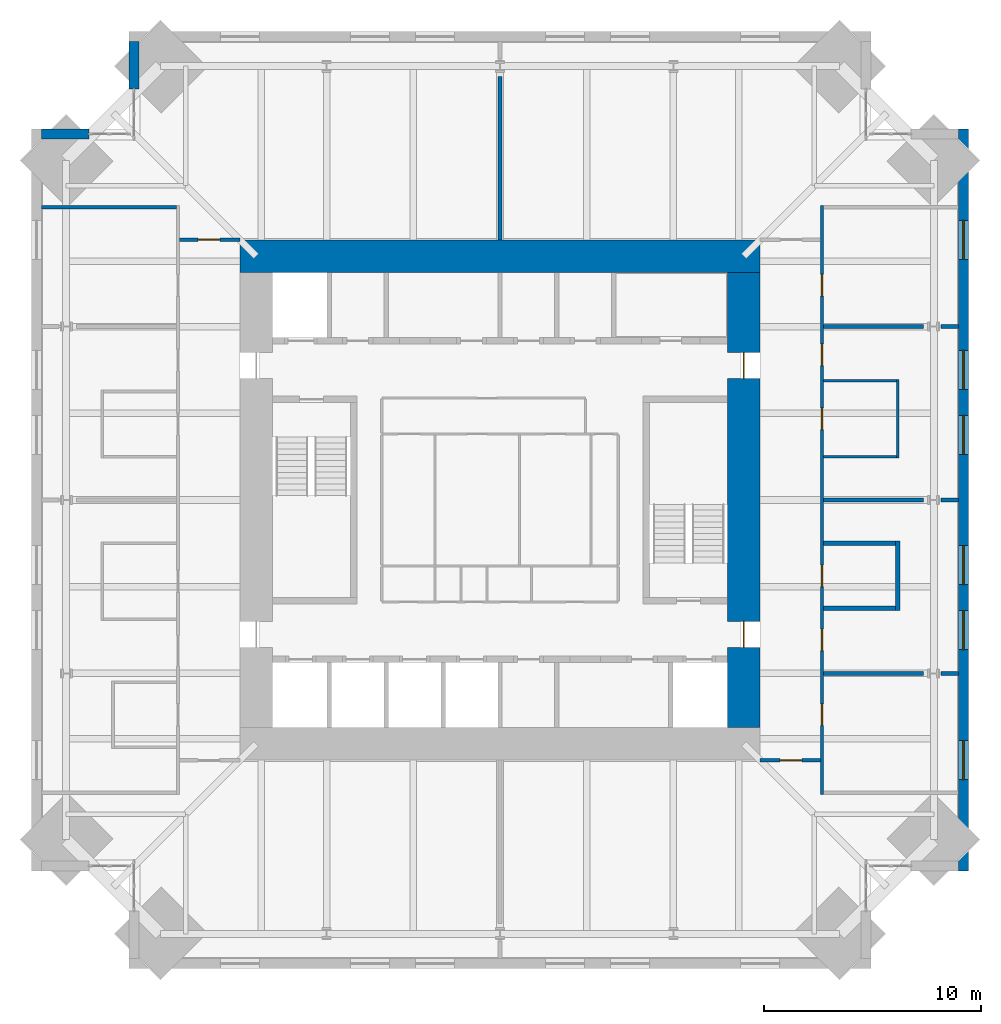
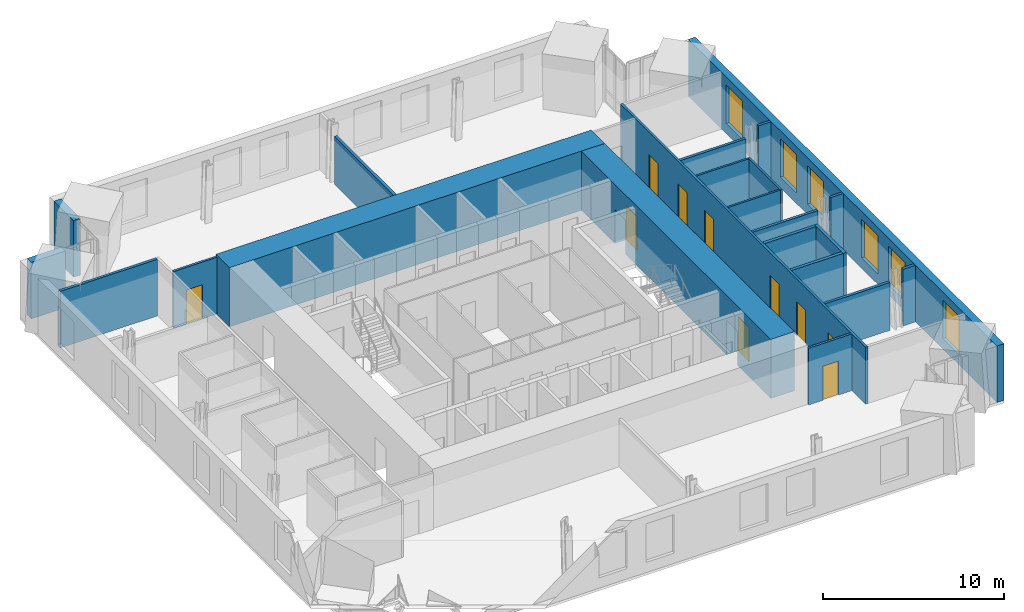
# One storey, part 14 of 16: 22 walls, 10 doors, 6 windows, 16 openings.
"""IFC4 building model written with IfcOpenShell, lengths in metres."""

from ifc_helpers import new_model, si_unit, direction, frame, frame_2d, origin, place, context, subcontext, project, spatial, rectangle, extrude, material, layer, layer_set, type_object, element, fill, save


model = new_model("IFC4")

# Units and contexts
model_context = context("Model", 3, precision=1e-05, world=origin(), true_north=direction((0.0, 1.0)))
body_context = subcontext(model_context, "Body", "Model", "MODEL_VIEW")
ifc_project = project(units=[si_unit("LENGTHUNIT", "METRE"), si_unit("AREAUNIT", "SQUARE_METRE"), si_unit("VOLUMEUNIT", "CUBIC_METRE"), si_unit("PLANEANGLEUNIT", "RADIAN"), si_unit("MASSUNIT", "GRAM", prefix="KILO")], contexts=[model_context])

# Site, building, storey
site_placement = place(None, origin())
site = spatial("IfcSite", under=ifc_project, at=site_placement, CompositionType="ELEMENT")
building_placement = place(site_placement, origin())
building = spatial("IfcBuilding", under=site, at=building_placement, Name="Peilmerk Tower", CompositionType="ELEMENT")
storey_placement = place(building_placement, frame((0.0, 0.0, 269.800048828125)))
storey = spatial("IfcBuildingStorey", under=building, at=storey_placement, Name="L60", CompositionType="ELEMENT", Elevation=269.800048828125)

# Wall, openings, windows
ifc_material_1 = material(Name="Precast concrete C45/55, board-marked finish", Category="concrete")
ifc_layer_1 = layer(ifc_material_1, 0.449951171875)
ifc_layer_set_1 = layer_set([ifc_layer_1], Name="Precast concrete C45/55, board-marked finish")
wall_type_1 = type_object("IfcWallType", Name="EW1 450 precast concrete facade wall, board-marked", PredefinedType="SOLIDWALL", material=ifc_layer_set_1)
wall_1_placement = place(storey_placement, frame((21.375, -17.10009765625, 0.0), z_axis=(0.0, 0.0, 1.0), x_axis=(0.0, 1.0, 0.0)))
wall_1 = element("IfcWall", 1, at=wall_1_placement, inside=storey, type_object=wall_type_1, Name="Facade wall E L60", PredefinedType="SOLIDWALL", context=body_context, shape_type="SweptSolid", body=[
    extrude(rectangle(XDim=34.2001953125, YDim=0.449951171875, at=frame_2d((17.10009765625, 0.0))), origin(), (0.0, 0.0, 1.0), 3.829833984375),
])
opening_1_placement = place(wall_1_placement, frame((4.199951171875, 0.0, 0.699951171875)))
opening_1 = element("IfcOpeningElement", 2, at=opening_1_placement, cuts=wall_1, Name="Opening W1", PredefinedType="OPENING", context=body_context, shape_type="SweptSolid", body=[
    extrude(rectangle(XDim=1.800048828125, YDim=2.60009765625, at=frame_2d((0.89990234375, 1.300048828125))), frame((0.0, 0.23486328125, 0.0), z_axis=(0.0, -1.0, 0.0), x_axis=(1.0, 0.0, 0.0)), (0.0, 0.0, 1.0), 0.469970703125),
])
opening_2_placement = place(wall_1_placement, frame((10.199951171875, 0.0, 0.699951171875)))
opening_2 = element("IfcOpeningElement", 3, at=opening_2_placement, cuts=wall_1, Name="Opening W1", PredefinedType="OPENING", context=body_context, shape_type="SweptSolid", body=[
    extrude(rectangle(XDim=1.800048828125, YDim=2.60009765625, at=frame_2d((0.89990234375, 1.300048828125))), frame((0.0, 0.23486328125, 0.0), z_axis=(0.0, -1.0, 0.0), x_axis=(1.0, 0.0, 0.0)), (0.0, 0.0, 1.0), 0.469970703125),
])
opening_3_placement = place(wall_1_placement, frame((13.199951171875, 0.0, 0.699951171875)))
opening_3 = element("IfcOpeningElement", 4, at=opening_3_placement, cuts=wall_1, Name="Opening W1", PredefinedType="OPENING", context=body_context, shape_type="SweptSolid", body=[
    extrude(rectangle(XDim=1.800048828125, YDim=2.60009765625, at=frame_2d((0.89990234375, 1.300048828125))), frame((0.0, 0.23486328125, 0.0), z_axis=(0.0, -1.0, 0.0), x_axis=(1.0, 0.0, 0.0)), (0.0, 0.0, 1.0), 0.469970703125),
])
opening_4_placement = place(wall_1_placement, frame((19.199951171875, 0.0, 0.699951171875)))
opening_4 = element("IfcOpeningElement", 5, at=opening_4_placement, cuts=wall_1, Name="Opening W1", PredefinedType="OPENING", context=body_context, shape_type="SweptSolid", body=[
    extrude(rectangle(XDim=1.800048828125, YDim=2.60009765625, at=frame_2d((0.89990234375, 1.300048828125))), frame((0.0, 0.23486328125, 0.0), z_axis=(0.0, -1.0, 0.0), x_axis=(1.0, 0.0, 0.0)), (0.0, 0.0, 1.0), 0.469970703125),
])
opening_5_placement = place(wall_1_placement, frame((22.199951171875, 0.0, 0.699951171875)))
opening_5 = element("IfcOpeningElement", 6, at=opening_5_placement, cuts=wall_1, Name="Opening W1", PredefinedType="OPENING", context=body_context, shape_type="SweptSolid", body=[
    extrude(rectangle(XDim=1.800048828125, YDim=2.60009765625, at=frame_2d((0.89990234375, 1.300048828125))), frame((0.0, 0.23486328125, 0.0), z_axis=(0.0, -1.0, 0.0), x_axis=(1.0, 0.0, 0.0)), (0.0, 0.0, 1.0), 0.469970703125),
])
opening_6_placement = place(wall_1_placement, frame((28.199951171875, 0.0, 0.699951171875)))
opening_6 = element("IfcOpeningElement", 7, at=opening_6_placement, cuts=wall_1, Name="Opening W1", PredefinedType="OPENING", context=body_context, shape_type="SweptSolid", body=[
    extrude(rectangle(XDim=1.800048828125, YDim=2.60009765625, at=frame_2d((0.89990234375, 1.300048828125))), frame((0.0, 0.23486328125, 0.0), z_axis=(0.0, -1.0, 0.0), x_axis=(1.0, 0.0, 0.0)), (0.0, 0.0, 1.0), 0.469970703125),
])
ifc_material_2 = material(Name="Aluminium frame, clear double glazing", Category="aluminium")
window_type = type_object("IfcWindowType", Name="W1 1800x2600 office window", PartitioningType="SINGLE_PANEL", PredefinedType="WINDOW", material=ifc_material_2)
window_1_placement = place(opening_1_placement, origin())
window_1 = element("IfcWindow", 8, at=window_1_placement, inside=storey, type_object=window_type, Name="Window W1 L60", OverallHeight=2.60009765625, OverallWidth=1.800048828125, PartitioningType="SINGLE_PANEL", PredefinedType="WINDOW", context=body_context, shape_type="SweptSolid", body=[
    extrude(rectangle(XDim=1.800048828125, YDim=2.60009765625, at=frame_2d((0.89990234375, 1.300048828125))), frame((0.0, 0.030029296875, 0.0), z_axis=(0.0, -1.0, 0.0), x_axis=(1.0, 0.0, 0.0)), (0.0, 0.0, 1.0), 0.06005859375),
])
fill(opening_1, window_1)
window_2_placement = place(opening_2_placement, origin())
window_2 = element("IfcWindow", 9, at=window_2_placement, inside=storey, type_object=window_type, Name="Window W1 L60", OverallHeight=2.60009765625, OverallWidth=1.800048828125, PartitioningType="SINGLE_PANEL", PredefinedType="WINDOW", context=body_context, shape_type="SweptSolid", body=[
    extrude(rectangle(XDim=1.800048828125, YDim=2.60009765625, at=frame_2d((0.89990234375, 1.300048828125))), frame((0.0, 0.030029296875, 0.0), z_axis=(0.0, -1.0, 0.0), x_axis=(1.0, 0.0, 0.0)), (0.0, 0.0, 1.0), 0.06005859375),
])
fill(opening_2, window_2)
window_3_placement = place(opening_3_placement, origin())
window_3 = element("IfcWindow", 10, at=window_3_placement, inside=storey, type_object=window_type, Name="Window W1 L60", OverallHeight=2.60009765625, OverallWidth=1.800048828125, PartitioningType="SINGLE_PANEL", PredefinedType="WINDOW", context=body_context, shape_type="SweptSolid", body=[
    extrude(rectangle(XDim=1.800048828125, YDim=2.60009765625, at=frame_2d((0.89990234375, 1.300048828125))), frame((0.0, 0.030029296875, 0.0), z_axis=(0.0, -1.0, 0.0), x_axis=(1.0, 0.0, 0.0)), (0.0, 0.0, 1.0), 0.06005859375),
])
fill(opening_3, window_3)
window_4_placement = place(opening_4_placement, origin())
window_4 = element("IfcWindow", 11, at=window_4_placement, inside=storey, type_object=window_type, Name="Window W1 L60", OverallHeight=2.60009765625, OverallWidth=1.800048828125, PartitioningType="SINGLE_PANEL", PredefinedType="WINDOW", context=body_context, shape_type="SweptSolid", body=[
    extrude(rectangle(XDim=1.800048828125, YDim=2.60009765625, at=frame_2d((0.89990234375, 1.300048828125))), frame((0.0, 0.030029296875, 0.0), z_axis=(0.0, -1.0, 0.0), x_axis=(1.0, 0.0, 0.0)), (0.0, 0.0, 1.0), 0.06005859375),
])
fill(opening_4, window_4)
window_5_placement = place(opening_5_placement, origin())
window_5 = element("IfcWindow", 12, at=window_5_placement, inside=storey, type_object=window_type, Name="Window W1 L60", OverallHeight=2.60009765625, OverallWidth=1.800048828125, PartitioningType="SINGLE_PANEL", PredefinedType="WINDOW", context=body_context, shape_type="SweptSolid", body=[
    extrude(rectangle(XDim=1.800048828125, YDim=2.60009765625, at=frame_2d((0.89990234375, 1.300048828125))), frame((0.0, 0.030029296875, 0.0), z_axis=(0.0, -1.0, 0.0), x_axis=(1.0, 0.0, 0.0)), (0.0, 0.0, 1.0), 0.06005859375),
])
fill(opening_5, window_5)
window_6_placement = place(opening_6_placement, origin())
window_6 = element("IfcWindow", 13, at=window_6_placement, inside=storey, type_object=window_type, Name="Window W1 L60", OverallHeight=2.60009765625, OverallWidth=1.800048828125, PartitioningType="SINGLE_PANEL", PredefinedType="WINDOW", context=body_context, shape_type="SweptSolid", body=[
    extrude(rectangle(XDim=1.800048828125, YDim=2.60009765625, at=frame_2d((0.89990234375, 1.300048828125))), frame((0.0, 0.030029296875, 0.0), z_axis=(0.0, -1.0, 0.0), x_axis=(1.0, 0.0, 0.0)), (0.0, 0.0, 1.0), 0.06005859375),
])
fill(opening_6, window_6)

# Walls
for number, where, z_axis, x_axis, name in (
    (14, (-16.875, 18.95361328125, 0.0), (0.0, 0.0, 1.0), (0.0, 1.0, 0.0), "Facade wall NWA L60"),
    (15, (-18.95361328125, 16.875, 0.0), (0.0, 0.0, 1.0), (-1.0, 0.0, 0.0), "Facade wall NWB L60"),
):
    element("IfcWall", number, at=place(storey_placement, frame(where, z_axis=z_axis, x_axis=x_axis)), inside=storey, type_object=wall_type_1, Name=name, PredefinedType="SOLIDWALL", context=body_context, shape_type="SweptSolid", body=[
        extrude(rectangle(XDim=2.1962890625, YDim=0.449951171875, at=frame_2d((1.09814453125, 0.0))), origin(), (0.0, 0.0, 1.0), 3.829833984375),
    ])

# Wall, openings, doors
ifc_material_3 = material(Name="Calcium silicate block", Category="masonry")
ifc_layer_2 = layer(ifc_material_3, 0.14990234375)
ifc_layer_set_2 = layer_set([ifc_layer_2], Name="Calcium silicate block")
wall_type_2 = type_object("IfcWallType", Name="IW1 150 corridor partition, EI 60", PredefinedType="PARTITIONING", material=ifc_layer_set_2)
wall_2_placement = place(storey_placement, frame((14.85009765625, -13.574951171875, 0.0), z_axis=(0.0, 0.0, 1.0), x_axis=(0.0, 1.0, 0.0)))
wall_2 = element("IfcWall", 16, at=wall_2_placement, inside=storey, type_object=wall_type_2, Name="Corridor wall E L60", PredefinedType="PARTITIONING", context=body_context, shape_type="SweptSolid", body=[
    extrude(rectangle(XDim=27.14990234375, YDim=0.14990234375, at=frame_2d((13.574951171875, 0.0))), origin(), (0.0, 0.0, 1.0), 3.829833984375),
])
opening_7_placement = place(wall_2_placement, frame((3.175048828125, 0.0, 0.0)))
opening_7 = element("IfcOpeningElement", 17, at=opening_7_placement, cuts=wall_2, Name="Opening D1", PredefinedType="OPENING", context=body_context, shape_type="SweptSolid", body=[
    extrude(rectangle(XDim=1.0, YDim=2.300048828125, at=frame_2d((0.5, 1.14990234375))), frame((0.0, 0.0849609375, 0.0), z_axis=(0.0, -1.0, 0.0), x_axis=(1.0, 0.0, 0.0)), (0.0, 0.0, 1.0), 0.169921875),
])
opening_8_placement = place(wall_2_placement, frame((6.625, 0.0, 0.0)))
opening_8 = element("IfcOpeningElement", 18, at=opening_8_placement, cuts=wall_2, Name="Opening D1", PredefinedType="OPENING", context=body_context, shape_type="SweptSolid", body=[
    extrude(rectangle(XDim=1.0, YDim=2.300048828125, at=frame_2d((0.5, 1.14990234375))), frame((0.0, 0.0849609375, 0.0), z_axis=(0.0, -1.0, 0.0), x_axis=(1.0, 0.0, 0.0)), (0.0, 0.0, 1.0), 0.169921875),
])
opening_9_placement = place(wall_2_placement, frame((19.77490234375, 0.0, 0.0)))
opening_9 = element("IfcOpeningElement", 19, at=opening_9_placement, cuts=wall_2, Name="Opening D1", PredefinedType="OPENING", context=body_context, shape_type="SweptSolid", body=[
    extrude(rectangle(XDim=1.0, YDim=2.300048828125, at=frame_2d((0.5, 1.14990234375))), frame((0.0, 0.0849609375, 0.0), z_axis=(0.0, -1.0, 0.0), x_axis=(1.0, 0.0, 0.0)), (0.0, 0.0, 1.0), 0.169921875),
])
opening_10_placement = place(wall_2_placement, frame((22.97509765625, 0.0, 0.0)))
opening_10 = element("IfcOpeningElement", 20, at=opening_10_placement, cuts=wall_2, Name="Opening D1", PredefinedType="OPENING", context=body_context, shape_type="SweptSolid", body=[
    extrude(rectangle(XDim=1.0, YDim=2.300048828125, at=frame_2d((0.5, 1.14990234375))), frame((0.0, 0.0849609375, 0.0), z_axis=(0.0, -1.0, 0.0), x_axis=(1.0, 0.0, 0.0)), (0.0, 0.0, 1.0), 0.169921875),
])
opening_11_placement = place(wall_2_placement, frame((16.824951171875, 0.0, 0.0)))
opening_11 = element("IfcOpeningElement", 21, at=opening_11_placement, cuts=wall_2, Name="Opening D1", PredefinedType="OPENING", context=body_context, shape_type="SweptSolid", body=[
    extrude(rectangle(XDim=1.0, YDim=2.300048828125, at=frame_2d((0.5, 1.14990234375))), frame((0.0, 0.0849609375, 0.0), z_axis=(0.0, -1.0, 0.0), x_axis=(1.0, 0.0, 0.0)), (0.0, 0.0, 1.0), 0.169921875),
])
opening_12_placement = place(wall_2_placement, frame((9.574951171875, 0.0, 0.0)))
opening_12 = element("IfcOpeningElement", 22, at=opening_12_placement, cuts=wall_2, Name="Opening D1", PredefinedType="OPENING", context=body_context, shape_type="SweptSolid", body=[
    extrude(rectangle(XDim=1.0, YDim=2.300048828125, at=frame_2d((0.5, 1.14990234375))), frame((0.0, 0.0849609375, 0.0), z_axis=(0.0, -1.0, 0.0), x_axis=(1.0, 0.0, 0.0)), (0.0, 0.0, 1.0), 0.169921875),
])
ifc_material_4 = material(Name="Timber door in steel frame", Category="steel")
door_type_1 = type_object("IfcDoorType", Name="D1 1000x2300 room door, EI2 30", OperationType="SINGLE_SWING_LEFT", PredefinedType="DOOR", material=ifc_material_4)
door_1_placement = place(opening_7_placement, frame((1.0, 0.0, 0.0), z_axis=(0.0, 0.0, 1.0), x_axis=(-1.0, 0.0, 0.0)))
door_1 = element("IfcDoor", 23, at=door_1_placement, inside=storey, type_object=door_type_1, Name="Door Office L60", OperationType="SINGLE_SWING_LEFT", OverallHeight=2.300048828125, OverallWidth=1.0, PredefinedType="DOOR", context=body_context, shape_type="SweptSolid", body=[
    extrude(rectangle(XDim=1.0, YDim=2.300048828125, at=frame_2d((0.5, 1.14990234375))), frame((0.0, 0.02490234375, 0.0), z_axis=(0.0, -1.0, 0.0), x_axis=(1.0, 0.0, 0.0)), (0.0, 0.0, 1.0), 0.050048828125),
])
fill(opening_7, door_1)
door_2_placement = place(opening_8_placement, frame((1.0, 0.0, 0.0), z_axis=(0.0, 0.0, 1.0), x_axis=(-1.0, 0.0, 0.0)))
door_2 = element("IfcDoor", 24, at=door_2_placement, inside=storey, type_object=door_type_1, Name="Door Office L60", OperationType="SINGLE_SWING_LEFT", OverallHeight=2.300048828125, OverallWidth=1.0, PredefinedType="DOOR", context=body_context, shape_type="SweptSolid", body=[
    extrude(rectangle(XDim=1.0, YDim=2.300048828125, at=frame_2d((0.5, 1.14990234375))), frame((0.0, 0.02490234375, 0.0), z_axis=(0.0, -1.0, 0.0), x_axis=(1.0, 0.0, 0.0)), (0.0, 0.0, 1.0), 0.050048828125),
])
fill(opening_8, door_2)
door_3_placement = place(opening_9_placement, frame((1.0, 0.0, 0.0), z_axis=(0.0, 0.0, 1.0), x_axis=(-1.0, 0.0, 0.0)))
door_3 = element("IfcDoor", 25, at=door_3_placement, inside=storey, type_object=door_type_1, Name="Door Office L60", OperationType="SINGLE_SWING_LEFT", OverallHeight=2.300048828125, OverallWidth=1.0, PredefinedType="DOOR", context=body_context, shape_type="SweptSolid", body=[
    extrude(rectangle(XDim=1.0, YDim=2.300048828125, at=frame_2d((0.5, 1.14990234375))), frame((0.0, 0.02490234375, 0.0), z_axis=(0.0, -1.0, 0.0), x_axis=(1.0, 0.0, 0.0)), (0.0, 0.0, 1.0), 0.050048828125),
])
fill(opening_9, door_3)
door_4_placement = place(opening_10_placement, frame((1.0, 0.0, 0.0), z_axis=(0.0, 0.0, 1.0), x_axis=(-1.0, 0.0, 0.0)))
door_4 = element("IfcDoor", 26, at=door_4_placement, inside=storey, type_object=door_type_1, Name="Door Office L60", OperationType="SINGLE_SWING_LEFT", OverallHeight=2.300048828125, OverallWidth=1.0, PredefinedType="DOOR", context=body_context, shape_type="SweptSolid", body=[
    extrude(rectangle(XDim=1.0, YDim=2.300048828125, at=frame_2d((0.5, 1.14990234375))), frame((0.0, 0.02490234375, 0.0), z_axis=(0.0, -1.0, 0.0), x_axis=(1.0, 0.0, 0.0)), (0.0, 0.0, 1.0), 0.050048828125),
])
fill(opening_10, door_4)
door_5_placement = place(opening_11_placement, frame((1.0, 0.0, 0.0), z_axis=(0.0, 0.0, 1.0), x_axis=(-1.0, 0.0, 0.0)))
door_5 = element("IfcDoor", 27, at=door_5_placement, inside=storey, type_object=door_type_1, Name="Door Meeting room L60", OperationType="SINGLE_SWING_LEFT", OverallHeight=2.300048828125, OverallWidth=1.0, PredefinedType="DOOR", context=body_context, shape_type="SweptSolid", body=[
    extrude(rectangle(XDim=1.0, YDim=2.300048828125, at=frame_2d((0.5, 1.14990234375))), frame((0.0, 0.02490234375, 0.0), z_axis=(0.0, -1.0, 0.0), x_axis=(1.0, 0.0, 0.0)), (0.0, 0.0, 1.0), 0.050048828125),
])
fill(opening_11, door_5)
door_6_placement = place(opening_12_placement, frame((1.0, 0.0, 0.0), z_axis=(0.0, 0.0, 1.0), x_axis=(-1.0, 0.0, 0.0)))
door_6 = element("IfcDoor", 28, at=door_6_placement, inside=storey, type_object=door_type_1, Name="Door Wellness room L60", OperationType="SINGLE_SWING_LEFT", OverallHeight=2.300048828125, OverallWidth=1.0, PredefinedType="DOOR", context=body_context, shape_type="SweptSolid", body=[
    extrude(rectangle(XDim=1.0, YDim=2.300048828125, at=frame_2d((0.5, 1.14990234375))), frame((0.0, 0.02490234375, 0.0), z_axis=(0.0, -1.0, 0.0), x_axis=(1.0, 0.0, 0.0)), (0.0, 0.0, 1.0), 0.050048828125),
])
fill(opening_12, door_6)

# Wall, opening, door
wall_3_placement = place(storey_placement, frame((-14.77490234375, 12.0, 0.0), z_axis=(0.0, 0.0, 1.0), x_axis=(1.0, 0.0, 0.0)))
wall_3 = element("IfcWall", 29, at=wall_3_placement, inside=storey, type_object=wall_type_2, Name="Corridor wall NW L60", PredefinedType="PARTITIONING", context=body_context, shape_type="SweptSolid", body=[
    extrude(rectangle(XDim=2.77490234375, YDim=0.14990234375, at=frame_2d((1.387451171875, 0.0))), origin(), (0.0, 0.0, 1.0), 3.829833984375),
])
opening_13_placement = place(wall_3_placement, frame((0.85009765625, 0.0, 0.0)))
opening_13 = element("IfcOpeningElement", 30, at=opening_13_placement, cuts=wall_3, Name="Opening D1", PredefinedType="OPENING", context=body_context, shape_type="SweptSolid", body=[
    extrude(rectangle(XDim=1.0, YDim=2.300048828125, at=frame_2d((0.5, 1.14990234375))), frame((0.0, 0.0849609375, 0.0), z_axis=(0.0, -1.0, 0.0), x_axis=(1.0, 0.0, 0.0)), (0.0, 0.0, 1.0), 0.169921875),
])
door_7_placement = place(opening_13_placement, origin())
door_7 = element("IfcDoor", 31, at=door_7_placement, inside=storey, type_object=door_type_1, Name="Door Office L60", OperationType="SINGLE_SWING_LEFT", OverallHeight=2.300048828125, OverallWidth=1.0, PredefinedType="DOOR", context=body_context, shape_type="SweptSolid", body=[
    extrude(rectangle(XDim=1.0, YDim=2.300048828125, at=frame_2d((0.5, 1.14990234375))), frame((0.0, 0.02490234375, 0.0), z_axis=(0.0, -1.0, 0.0), x_axis=(1.0, 0.0, 0.0)), (0.0, 0.0, 1.0), 0.050048828125),
])
fill(opening_13, door_7)

wall_4_placement = place(storey_placement, frame((14.77490234375, -12.0, 0.0), z_axis=(0.0, 0.0, 1.0), x_axis=(-1.0, 0.0, 0.0)))
wall_4 = element("IfcWall", 32, at=wall_4_placement, inside=storey, type_object=wall_type_2, Name="Corridor wall SE L60", PredefinedType="PARTITIONING", context=body_context, shape_type="SweptSolid", body=[
    extrude(rectangle(XDim=2.77490234375, YDim=0.14990234375, at=frame_2d((1.387451171875, 0.0))), origin(), (0.0, 0.0, 1.0), 3.829833984375),
])
opening_14_placement = place(wall_4_placement, frame((0.85009765625, 0.0, 0.0)))
opening_14 = element("IfcOpeningElement", 33, at=opening_14_placement, cuts=wall_4, Name="Opening D1", PredefinedType="OPENING", context=body_context, shape_type="SweptSolid", body=[
    extrude(rectangle(XDim=1.0, YDim=2.300048828125, at=frame_2d((0.5, 1.14990234375))), frame((0.0, 0.0849609375, 0.0), z_axis=(0.0, -1.0, 0.0), x_axis=(1.0, 0.0, 0.0)), (0.0, 0.0, 1.0), 0.169921875),
])
door_8_placement = place(opening_14_placement, origin())
door_8 = element("IfcDoor", 34, at=door_8_placement, inside=storey, type_object=door_type_1, Name="Door Office L60", OperationType="SINGLE_SWING_LEFT", OverallHeight=2.300048828125, OverallWidth=1.0, PredefinedType="DOOR", context=body_context, shape_type="SweptSolid", body=[
    extrude(rectangle(XDim=1.0, YDim=2.300048828125, at=frame_2d((0.5, 1.14990234375))), frame((0.0, 0.02490234375, 0.0), z_axis=(0.0, -1.0, 0.0), x_axis=(1.0, 0.0, 0.0)), (0.0, 0.0, 1.0), 0.050048828125),
])
fill(opening_14, door_8)

# Walls
ifc_layer_3 = layer(ifc_material_3, 0.199951171875)
ifc_layer_set_3 = layer_set([ifc_layer_3], Name="Calcium silicate block")
wall_type_3 = type_object("IfcWallType", Name="IW2 200 room separating wall, EI 120", PredefinedType="PARTITIONING", material=ifc_layer_set_3)
wall_5_placement = place(storey_placement, frame((18.35009765625, -5.10009765625, 0.0), z_axis=(0.0, 0.0, 1.0), x_axis=(0.0, 1.0, 0.0)))
element("IfcWall", 35, at=wall_5_placement, inside=storey, type_object=wall_type_3, Name="Room separating wall Wellness room L60", PredefinedType="PARTITIONING", context=body_context, shape_type="SweptSolid", body=[
    extrude(rectangle(XDim=3.2001953125, YDim=0.199951171875, at=frame_2d((1.60009765625, 0.0))), origin(), (0.0, 0.0, 1.0), 3.829833984375),
])
for number, where, z_axis, x_axis, name in (
    (36, (14.925048828125, -5.0, 0.0), (0.0, 0.0, 1.0), (1.0, 0.0, 0.0), "Room separating wall Wellness room L60"),
    (37, (14.925048828125, -2.0, 0.0), (0.0, 0.0, 1.0), (1.0, 0.0, 0.0), "Room separating wall Wellness room L60"),
):
    element("IfcWall", number, at=place(storey_placement, frame(where, z_axis=z_axis, x_axis=x_axis)), inside=storey, type_object=wall_type_3, Name=name, PredefinedType="PARTITIONING", context=body_context, shape_type="SweptSolid", body=[
        extrude(rectangle(XDim=3.324951171875, YDim=0.199951171875, at=frame_2d((1.66259765625, 0.0))), origin(), (0.0, 0.0, 1.0), 3.829833984375),
    ])
ifc_material_5 = material(Name="Plasterboard on steel studs, double boarded with mineral wool", Category="steel")
ifc_layer_4 = layer(ifc_material_5, 0.125)
ifc_layer_set_4 = layer_set([ifc_layer_4], Name="Plasterboard on steel studs, double boarded with mineral wool")
wall_type_4 = type_object("IfcWallType", Name="IW7 125 acoustic partition, EI 30", PredefinedType="PARTITIONING", material=ifc_layer_set_4)
wall_6_placement = place(storey_placement, frame((18.35009765625, 1.9375, 0.0), z_axis=(0.0, 0.0, 1.0), x_axis=(0.0, 1.0, 0.0)))
element("IfcWall", 38, at=wall_6_placement, inside=storey, type_object=wall_type_4, Name="Acoustic partition Meeting room L60", PredefinedType="PARTITIONING", context=body_context, shape_type="SweptSolid", body=[
    extrude(rectangle(XDim=3.625, YDim=0.125, at=frame_2d((1.8125, 0.0))), origin(), (0.0, 0.0, 1.0), 3.829833984375),
])
for number, where, z_axis, x_axis, name in (
    (39, (14.925048828125, 2.0, 0.0), (0.0, 0.0, 1.0), (1.0, 0.0, 0.0), "Acoustic partition Meeting room L60"),
    (40, (14.925048828125, 5.5, 0.0), (0.0, 0.0, 1.0), (1.0, 0.0, 0.0), "Acoustic partition Meeting room L60"),
):
    element("IfcWall", number, at=place(storey_placement, frame(where, z_axis=z_axis, x_axis=x_axis)), inside=storey, type_object=wall_type_4, Name=name, PredefinedType="PARTITIONING", context=body_context, shape_type="SweptSolid", body=[
        extrude(rectangle(XDim=3.362548828125, YDim=0.125, at=frame_2d((1.68115234375, 0.0))), origin(), (0.0, 0.0, 1.0), 3.829833984375),
    ])
ifc_layer_5 = layer(ifc_material_3, 0.175048828125)
ifc_layer_set_5 = layer_set([ifc_layer_5], Name="Calcium silicate block")
wall_type_5 = type_object("IfcWallType", Name="IW8 175 tenant separating wall, EI 60", PredefinedType="PARTITIONING", material=ifc_layer_set_5)
wall_7_placement = place(storey_placement, frame((-21.14990234375, 13.5, 0.0), z_axis=(0.0, 0.0, 1.0), x_axis=(1.0, 0.0, 0.0)))
element("IfcWall", 41, at=wall_7_placement, inside=storey, type_object=wall_type_5, Name="Tenant separating wall NW L60", PredefinedType="PARTITIONING", context=body_context, shape_type="SweptSolid", body=[
    extrude(rectangle(XDim=6.224853515625, YDim=0.175048828125, at=frame_2d((3.1123046875, 0.0))), origin(), (0.0, 0.0, 1.0), 3.829833984375),
])
wall_8_placement = place(storey_placement, frame((0.0, 12.0, 0.0), z_axis=(0.0, 0.0, 1.0), x_axis=(0.0, 1.0, 0.0)))
element("IfcWall", 42, at=wall_8_placement, inside=storey, type_object=wall_type_5, Name="Tenant separating wall N1 L60", PredefinedType="PARTITIONING", context=body_context, shape_type="SweptSolid", body=[
    extrude(rectangle(XDim=7.52685546875, YDim=0.175048828125, at=frame_2d((3.763427734375, 0.0))), origin(), (0.0, 0.0, 1.0), 3.239990234375),
])
wall_9_placement = place(storey_placement, frame((14.925048828125, -8.0, 0.0), z_axis=(0.0, 0.0, 1.0), x_axis=(1.0, 0.0, 0.0)))
element("IfcWall", 43, at=wall_9_placement, inside=storey, type_object=wall_type_5, Name="Tenant separating wall E1 L60", PredefinedType="PARTITIONING", context=body_context, shape_type="SweptSolid", body=[
    extrude(rectangle(XDim=4.601806640625, YDim=0.175048828125, at=frame_2d((2.30078125, 0.0))), origin(), (0.0, 0.0, 1.0), 3.239990234375),
])
wall_10_placement = place(storey_placement, frame((20.347412109375, -8.0, 0.0), z_axis=(0.0, 0.0, 1.0), x_axis=(1.0, 0.0, 0.0)))
element("IfcWall", 44, at=wall_10_placement, inside=storey, type_object=wall_type_5, Name="Tenant separating wall E1b L60", PredefinedType="PARTITIONING", context=body_context, shape_type="SweptSolid", body=[
    extrude(rectangle(XDim=0.802490234375, YDim=0.175048828125, at=frame_2d((0.4013671875, 0.0))), origin(), (0.0, 0.0, 1.0), 3.829833984375),
])
wall_11_placement = place(storey_placement, frame((14.925048828125, 0.0, 0.0), z_axis=(0.0, 0.0, 1.0), x_axis=(1.0, 0.0, 0.0)))
element("IfcWall", 45, at=wall_11_placement, inside=storey, type_object=wall_type_5, Name="Tenant separating wall E2 L60", PredefinedType="PARTITIONING", context=body_context, shape_type="SweptSolid", body=[
    extrude(rectangle(XDim=4.601806640625, YDim=0.175048828125, at=frame_2d((2.30078125, 0.0))), origin(), (0.0, 0.0, 1.0), 3.239990234375),
])
wall_12_placement = place(storey_placement, frame((20.347412109375, 0.0, 0.0), z_axis=(0.0, 0.0, 1.0), x_axis=(1.0, 0.0, 0.0)))
element("IfcWall", 46, at=wall_12_placement, inside=storey, type_object=wall_type_5, Name="Tenant separating wall E2b L60", PredefinedType="PARTITIONING", context=body_context, shape_type="SweptSolid", body=[
    extrude(rectangle(XDim=0.802490234375, YDim=0.175048828125, at=frame_2d((0.4013671875, 0.0))), origin(), (0.0, 0.0, 1.0), 3.829833984375),
])
wall_13_placement = place(storey_placement, frame((14.925048828125, 8.0, 0.0), z_axis=(0.0, 0.0, 1.0), x_axis=(1.0, 0.0, 0.0)))
element("IfcWall", 47, at=wall_13_placement, inside=storey, type_object=wall_type_5, Name="Tenant separating wall E3 L60", PredefinedType="PARTITIONING", context=body_context, shape_type="SweptSolid", body=[
    extrude(rectangle(XDim=4.601806640625, YDim=0.175048828125, at=frame_2d((2.30078125, 0.0))), origin(), (0.0, 0.0, 1.0), 3.239990234375),
])
wall_14_placement = place(storey_placement, frame((20.347412109375, 8.0, 0.0), z_axis=(0.0, 0.0, 1.0), x_axis=(1.0, 0.0, 0.0)))
element("IfcWall", 48, at=wall_14_placement, inside=storey, type_object=wall_type_5, Name="Tenant separating wall E3b L60", PredefinedType="PARTITIONING", context=body_context, shape_type="SweptSolid", body=[
    extrude(rectangle(XDim=0.802490234375, YDim=0.175048828125, at=frame_2d((0.4013671875, 0.0))), origin(), (0.0, 0.0, 1.0), 3.829833984375),
])
ifc_material_6 = material(Name="Concrete C55/67", Category="concrete")
ifc_layer_6 = layer(ifc_material_6, 1.5)
ifc_layer_set_6 = layer_set([ifc_layer_6], Name="Concrete C55/67")
wall_type_6 = type_object("IfcWallType", Name="SW1 1500 core wall", PredefinedType="SHEAR", material=ifc_layer_set_6)
wall_15_placement = place(storey_placement, frame((-12.0, 11.25, 0.0), z_axis=(0.0, 0.0, 1.0), x_axis=(1.0, 0.0, 0.0)))
element("IfcWall", 49, at=wall_15_placement, inside=storey, type_object=wall_type_6, Name="Core wall N L60", PredefinedType="SHEAR", context=body_context, shape_type="SweptSolid", body=[
    extrude(rectangle(XDim=24.0, YDim=1.5, at=frame_2d((12.0, 0.0))), origin(), (0.0, 0.0, 1.0), 4.0),
])

# Wall, openings, doors
wall_16_placement = place(storey_placement, frame((11.25, 10.5, 0.0), z_axis=(0.0, 0.0, 1.0), x_axis=(0.0, -1.0, 0.0)))
wall_16 = element("IfcWall", 50, at=wall_16_placement, inside=storey, type_object=wall_type_6, Name="Core wall E L60", PredefinedType="SHEAR", context=body_context, shape_type="SweptSolid", body=[
    extrude(rectangle(XDim=21.0, YDim=1.5, at=frame_2d((10.5, 0.0))), origin(), (0.0, 0.0, 1.0), 4.0),
])
opening_15_placement = place(wall_16_placement, frame((3.699951171875, 0.0, 0.0)))
opening_15 = element("IfcOpeningElement", 51, at=opening_15_placement, cuts=wall_16, Name="Opening D3", PredefinedType="OPENING", context=body_context, shape_type="SweptSolid", body=[
    extrude(rectangle(XDim=1.199951171875, YDim=2.300048828125, at=frame_2d((0.60009765625, 1.14990234375))), frame((0.0, 0.760009765625, 0.0), z_axis=(0.0, -1.0, 0.0), x_axis=(1.0, 0.0, 0.0)), (0.0, 0.0, 1.0), 1.52001953125),
])
opening_16_placement = place(wall_16_placement, frame((16.10009765625, 0.0, 0.0)))
opening_16 = element("IfcOpeningElement", 52, at=opening_16_placement, cuts=wall_16, Name="Opening D3", PredefinedType="OPENING", context=body_context, shape_type="SweptSolid", body=[
    extrude(rectangle(XDim=1.199951171875, YDim=2.300048828125, at=frame_2d((0.60009765625, 1.14990234375))), frame((0.0, 0.760009765625, 0.0), z_axis=(0.0, -1.0, 0.0), x_axis=(1.0, 0.0, 0.0)), (0.0, 0.0, 1.0), 1.52001953125),
])
ifc_material_7 = material(Name="Steel door in steel frame", Category="steel")
door_type_2 = type_object("IfcDoorType", Name="D3 1200x2300 core door, EI2 60", OperationType="SINGLE_SWING_LEFT", PredefinedType="DOOR", material=ifc_material_7)
door_9_placement = place(opening_15_placement, frame((1.199951171875, 0.0, 0.0), z_axis=(0.0, 0.0, 1.0), x_axis=(-1.0, 0.0, 0.0)))
door_9 = element("IfcDoor", 53, at=door_9_placement, inside=storey, type_object=door_type_2, Name="Core door L60", OperationType="SINGLE_SWING_LEFT", OverallHeight=2.300048828125, OverallWidth=1.199951171875, PredefinedType="DOOR", context=body_context, shape_type="SweptSolid", body=[
    extrude(rectangle(XDim=1.199951171875, YDim=2.300048828125, at=frame_2d((0.60009765625, 1.14990234375))), frame((0.0, 0.02490234375, 0.0), z_axis=(0.0, -1.0, 0.0), x_axis=(1.0, 0.0, 0.0)), (0.0, 0.0, 1.0), 0.050048828125),
])
fill(opening_15, door_9)
door_10_placement = place(opening_16_placement, frame((1.199951171875, 0.0, 0.0), z_axis=(0.0, 0.0, 1.0), x_axis=(-1.0, 0.0, 0.0)))
door_10 = element("IfcDoor", 54, at=door_10_placement, inside=storey, type_object=door_type_2, Name="Core door L60", OperationType="SINGLE_SWING_LEFT", OverallHeight=2.300048828125, OverallWidth=1.199951171875, PredefinedType="DOOR", context=body_context, shape_type="SweptSolid", body=[
    extrude(rectangle(XDim=1.199951171875, YDim=2.300048828125, at=frame_2d((0.60009765625, 1.14990234375))), frame((0.0, 0.02490234375, 0.0), z_axis=(0.0, -1.0, 0.0), x_axis=(1.0, 0.0, 0.0)), (0.0, 0.0, 1.0), 0.050048828125),
])
fill(opening_16, door_10)

save(model, "model.ifc")
